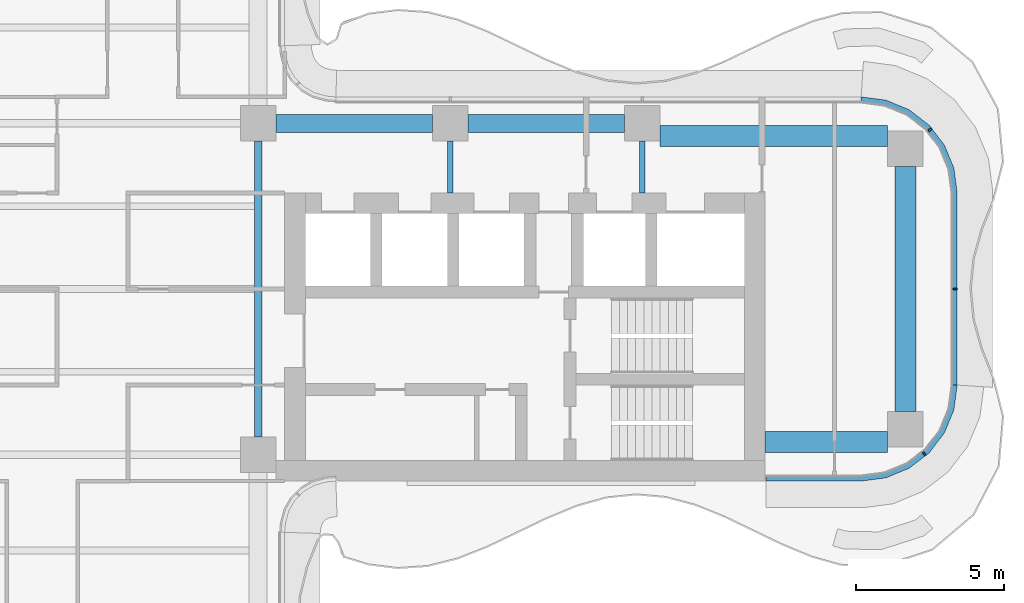
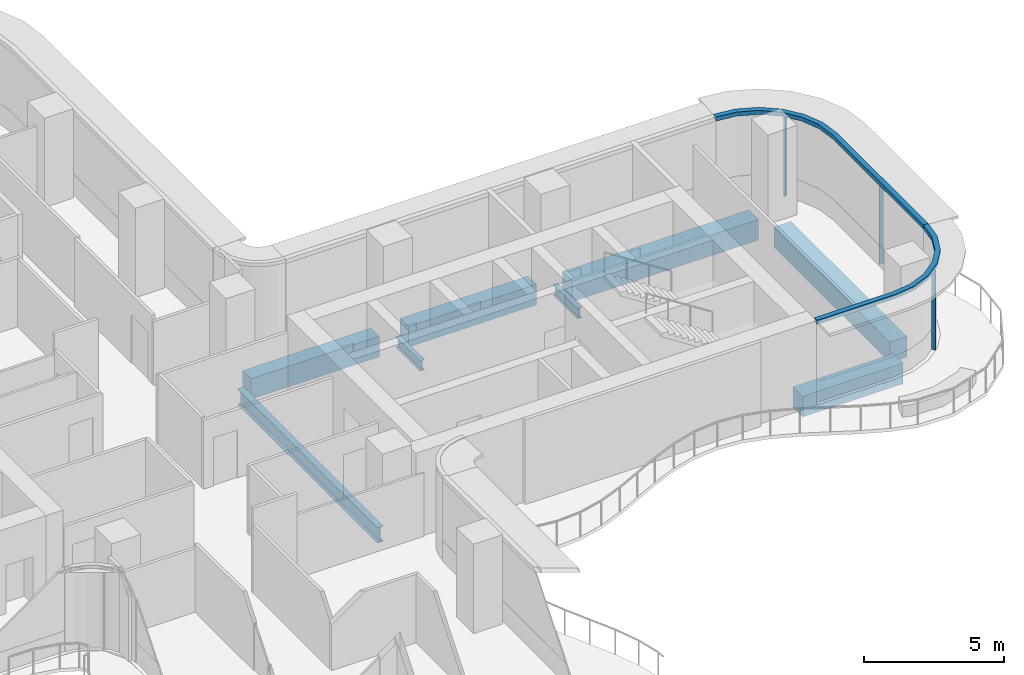
# One storey, part 6 of 18: 8 beams, 5 members, 2 elements without a shape of their own.
"""IFC4 building model written with IfcOpenShell, lengths in metres."""

from ifc_helpers import new_model, si_unit, direction, frame, origin, origin_2d, place, context, subcontext, project, spatial, polyline, rectangle, i_section, outline, extrude, source, transform, mapped, material, layer, layer_set, material_profile, profile_set, type_object, element, aggregate, save


model = new_model("IFC4")

# Units and contexts
model_context = context("Model", 3, precision=1e-05, world=origin(), true_north=direction((0.0, 1.0)))
body_context = subcontext(model_context, "Body", "Model", "MODEL_VIEW")
ifc_project = project(units=[si_unit("LENGTHUNIT", "METRE"), si_unit("AREAUNIT", "SQUARE_METRE"), si_unit("VOLUMEUNIT", "CUBIC_METRE"), si_unit("PLANEANGLEUNIT", "RADIAN"), si_unit("MASSUNIT", "GRAM", prefix="KILO")], contexts=[model_context])

# Site, building, storey
site_placement = place(None, origin())
site = spatial("IfcSite", under=ifc_project, at=site_placement, CompositionType="ELEMENT")
building_placement = place(site_placement, origin())
building = spatial("IfcBuilding", under=site, at=building_placement, Name="Trellis Farm Tower", CompositionType="ELEMENT")
storey_placement = place(building_placement, frame((0.0, 0.0, 169.800048828125)))
storey = spatial("IfcBuildingStorey", under=building, at=storey_placement, Name="L36", CompositionType="ELEMENT", Elevation=169.800048828125)

# Beams
ifc_material_1 = material(Name="Concrete C60/75", Category="concrete")
ifc_material_profile_1 = material_profile(ifc_material_1, rectangle(XDim=0.60009765625, YDim=0.89990234375, at=origin_2d()), Name="RC spandrel beam 600x900 C60/75")
ifc_profile_set_1 = profile_set([ifc_material_profile_1], Name="Concrete C60/75")
beam_type_1 = type_object("IfcBeamType", Name="RC spandrel beam 600x900 C60/75", PredefinedType="SPANDREL", material=ifc_profile_set_1)
shared_shape_1 = source(origin(), body_context, "Body", "SweptSolid", [
    extrude(rectangle(XDim=0.60009765625, YDim=0.89990234375, at=origin_2d()), origin(), (0.0, 0.0, 1.0), 5.300048828125),
])
for number, where, z_axis, x_axis, name in (
    (1, (6.199951171875, 5.60009765625, -0.650146484375), (1.0, 0.0, 0.0), (0.0, 1.0, 0.0), "Girder"),
    (2, (12.699951171875, 5.60009765625, -0.650146484375), (1.0, 0.0, 0.0), (0.0, 1.0, 0.0), "Girder"),
):
    element("IfcBeam", number, at=place(storey_placement, frame(where, z_axis=z_axis, x_axis=x_axis)), inside=storey, type_object=beam_type_1, Name=name, PredefinedType="SPANDREL", context=body_context, shape_type="MappedRepresentation", body=[
        mapped(shared_shape_1, transform((0.0, 0.0, 0.0))),
    ])
ifc_material_2 = material(Name="Steel S355", Category="steel")
ifc_material_profile_2 = material_profile(ifc_material_2, i_section(OverallWidth=0.253662109375, OverallDepth=0.68359375, WebThickness=0.012451171875, FlangeThickness=0.021728515625, FilletRadius=0.01513671875, at=origin_2d()), Name="UB 686x254x140")
ifc_profile_set_2 = profile_set([ifc_material_profile_2], Name="Steel S355")
beam_type_2 = type_object("IfcBeamType", Name="UB 686x254x140", PredefinedType="BEAM", material=ifc_profile_set_2)
shared_shape_2 = source(origin(), body_context, "Body", "SweptSolid", [
    extrude(i_section(OverallWidth=0.253662109375, OverallDepth=0.68359375, WebThickness=0.012451171875, FlangeThickness=0.021728515625, FilletRadius=0.01513671875, at=origin_2d()), origin(), (0.0, 0.0, 1.0), 10.0),
])
beam_1_placement = place(storey_placement, frame((5.60009765625, -5.0, -0.541748046875), z_axis=(0.0, 1.0, 0.0), x_axis=(-1.0, 0.0, 0.0)))
element("IfcBeam", 3, at=beam_1_placement, inside=storey, type_object=beam_type_2, Name="Girder", PredefinedType="BEAM", context=body_context, shape_type="MappedRepresentation", body=[
    mapped(shared_shape_2, transform((0.0, 0.0, 0.0))),
])
ifc_material_profile_3 = material_profile(ifc_material_1, rectangle(XDim=0.699951171875, YDim=0.89990234375, at=origin_2d()), Name="RC spandrel beam 700x900 C60/75")
ifc_profile_set_3 = profile_set([ifc_material_profile_3], Name="Concrete C60/75")
beam_type_3 = type_object("IfcBeamType", Name="RC spandrel beam 700x900 C60/75", PredefinedType="SPANDREL", material=ifc_profile_set_3)
shared_shape_3 = source(origin(), body_context, "Body", "SweptSolid", [
    extrude(rectangle(XDim=0.699951171875, YDim=0.89990234375, at=origin_2d()), origin(), (0.0, 0.0, 1.0), 8.2998046875),
])
beam_2_placement = place(storey_placement, frame((27.5, -4.14990234375, -0.650146484375), z_axis=(0.0, 1.0, 0.0), x_axis=(-1.0, 0.0, 0.0)))
element("IfcBeam", 4, at=beam_2_placement, inside=storey, type_object=beam_type_3, Name="Girder", PredefinedType="SPANDREL", context=body_context, shape_type="MappedRepresentation", body=[
    mapped(shared_shape_3, transform((0.0, 0.0, 0.0))),
])
ifc_material_profile_4 = material_profile(ifc_material_2, i_section(OverallWidth=0.1904296875, OverallDepth=0.45703125, WebThickness=0.009033203125, FlangeThickness=0.014404296875, FilletRadius=0.01025390625, at=origin_2d()), Name="UB 457x191x74")
ifc_profile_set_4 = profile_set([ifc_material_profile_4], Name="Steel S355")
beam_type_4 = type_object("IfcBeamType", Name="UB 457x191x74", PredefinedType="BEAM", material=ifc_profile_set_4)
shared_shape_4 = source(origin(), body_context, "Body", "SweptSolid", [
    extrude(i_section(OverallWidth=0.1904296875, OverallDepth=0.45703125, WebThickness=0.009033203125, FlangeThickness=0.014404296875, FilletRadius=0.01025390625, at=origin_2d()), origin(), (0.0, 0.0, 1.0), 1.75),
])
for number, where, z_axis, x_axis, name in (
    (5, (12.10009765625, 3.25, -0.428466796875), (0.0, 1.0, 0.0), (-1.0, 0.0, 0.0), "Girder"),
    (6, (18.60009765625, 3.25, -0.428466796875), (0.0, 1.0, 0.0), (-1.0, 0.0, 0.0), "Girder"),
):
    element("IfcBeam", number, at=place(storey_placement, frame(where, z_axis=z_axis, x_axis=x_axis)), inside=storey, type_object=beam_type_4, Name=name, PredefinedType="BEAM", context=body_context, shape_type="MappedRepresentation", body=[
        mapped(shared_shape_4, transform((0.0, 0.0, 0.0))),
    ])
shared_shape_5 = source(origin(), body_context, "Body", "SweptSolid", [
    extrude(rectangle(XDim=0.699951171875, YDim=0.89990234375, at=origin_2d()), origin(), (0.0, 0.0, 1.0), 7.699951171875),
])
beam_3_placement = place(storey_placement, frame((19.199951171875, 5.175048828125, -0.650146484375), z_axis=(1.0, 0.0, 0.0), x_axis=(0.0, 1.0, 0.0)))
element("IfcBeam", 7, at=beam_3_placement, inside=storey, type_object=beam_type_3, Name="Girder", PredefinedType="SPANDREL", context=body_context, shape_type="MappedRepresentation", body=[
    mapped(shared_shape_5, transform((0.0, 0.0, 0.0))),
])
shared_shape_6 = source(origin(), body_context, "Body", "SweptSolid", [
    extrude(rectangle(XDim=0.699951171875, YDim=0.89990234375, at=origin_2d()), origin(), (0.0, 0.0, 1.0), 4.14990234375),
])
beam_4_placement = place(storey_placement, frame((22.75, -5.175048828125, -0.650146484375), z_axis=(1.0, 0.0, 0.0), x_axis=(0.0, 1.0, 0.0)))
element("IfcBeam", 8, at=beam_4_placement, inside=storey, type_object=beam_type_3, Name="Girder", PredefinedType="SPANDREL", context=body_context, shape_type="MappedRepresentation", body=[
    mapped(shared_shape_6, transform((0.0, 0.0, 0.0))),
])

# Curtain wall, member
ifc_material_3 = material(Name="Aluminium and glass curtain wall", Category="aluminium")
ifc_layer_1 = layer(ifc_material_3, 0.18994140625)
ifc_layer_set_1 = layer_set([ifc_layer_1], Name="RIBBON CURTAIN WALL CW1")
curtain_wall_type = type_object("IfcCurtainWallType", Name="RIBBON CURTAIN WALL CW1", PredefinedType="NOTDEFINED", material=ifc_layer_set_1)
placement_1 = place(storey_placement, origin())
curtain_wall_1 = element("IfcCurtainWall", 9, at=placement_1, inside=storey, type_object=curtain_wall_type, Name="CW1 006", PredefinedType="NOTDEFINED")
ifc_material_4 = material(Name="Aluminium extrusion 6063-T6", Category="aluminium")
ifc_layer_2 = layer(ifc_material_4, 0.199951171875)
ifc_layer_set_2 = layer_set([ifc_layer_2], Name="Aluminium extrusion 6063-T6")
member_type_1 = type_object("IfcMemberType", Name="CW1 TRANSOM 200x180", PredefinedType="USERDEFINED", material=ifc_layer_set_2)
shared_shape_7 = source(origin(), body_context, "Body", "SweptSolid", [
    extrude(outline(polyline([(22.780029296875, -6.5), (26.0, -6.5), (26.841064453125, -6.38916015625), (27.625, -6.064697265625), (28.298095703125, -5.548095703125), (28.814697265625, -4.875), (29.13916015625, -4.091064453125), (29.25, -3.25), (29.050048828125, -3.23681640625), (28.9443359375, -4.0390625), (28.639892578125, -4.774169921875), (28.155517578125, -5.405517578125), (27.524169921875, -5.889892578125), (26.7890625, -6.1943359375), (25.98681640625, -6.300048828125), (22.780029296875, -6.300048828125), (22.780029296875, -6.5)])), origin(), (0.0, 0.0, 1.0), 0.179931640625),
])
placement_2 = place(storey_placement, frame((0.0, 0.0, 3.52001953125)))
member_1 = element("IfcMember", 10, at=placement_2, type_object=member_type_1, Name="TR1 006", ObjectType="TRANSOM", PredefinedType="USERDEFINED", context=body_context, shape_type="MappedRepresentation", body=[
    mapped(shared_shape_7, transform((0.0, 0.0, 0.0))),
])

curtain_wall_2 = element("IfcCurtainWall", 11, at=placement_1, inside=storey, type_object=curtain_wall_type, Name="CW1 007", PredefinedType="NOTDEFINED")
shared_shape_8 = source(origin(), body_context, "Body", "SweptSolid", [
    extrude(outline(polyline([(29.25, -3.25), (29.25, 3.25), (29.13916015625, 4.091064453125), (28.814697265625, 4.875), (28.298095703125, 5.548095703125), (27.625, 6.064697265625), (26.841064453125, 6.38916015625), (26.0, 6.5), (25.98681640625, 6.300048828125), (26.7890625, 6.1943359375), (27.524169921875, 5.889892578125), (28.155517578125, 5.405517578125), (28.639892578125, 4.774169921875), (28.9443359375, 4.0390625), (29.050048828125, 3.23681640625), (29.050048828125, -3.23681640625), (29.25, -3.25)])), origin(), (0.0, 0.0, 1.0), 0.179931640625),
])
member_2 = element("IfcMember", 12, at=placement_2, type_object=member_type_1, Name="TR1 007", ObjectType="TRANSOM", PredefinedType="USERDEFINED", context=body_context, shape_type="MappedRepresentation", body=[
    mapped(shared_shape_8, transform((0.0, 0.0, 0.0))),
])

# Member
ifc_material_profile_5 = material_profile(ifc_material_4, rectangle(XDim=0.06005859375, YDim=0.14990234375, at=origin_2d()), Name="MULLION 60x150")
ifc_profile_set_5 = profile_set([ifc_material_profile_5], Name="Aluminium extrusion 6063-T6")
member_type_2 = type_object("IfcMemberType", Name="CW1 MULLION 60x150", PredefinedType="MULLION", material=ifc_profile_set_5)
shared_shape_9 = source(origin(), body_context, "Body", "SweptSolid", [
    extrude(rectangle(XDim=0.06005859375, YDim=0.14990234375, at=origin_2d()), origin(), (0.0, 0.0, 1.0), 3.52001953125),
])
member_3_placement = place(storey_placement, frame((28.135498046875, -5.578369140625, 0.0), z_axis=(0.0, 0.0, 1.0), x_axis=(0.793353340291, 0.608761429009, 0.0)))
member_3 = element("IfcMember", 13, at=member_3_placement, type_object=member_type_2, Name="MU1 006-01", PredefinedType="MULLION", context=body_context, shape_type="MappedRepresentation", body=[
    mapped(shared_shape_9, transform((0.0, 0.0, 0.0))),
])

aggregate(curtain_wall_1, [member_3, member_1])

member_4_placement = place(storey_placement, frame((29.175048828125, 0.0, 0.0), z_axis=(0.0, 0.0, 1.0), x_axis=(0.0, 1.0, 0.0)))
member_4 = element("IfcMember", 14, at=member_4_placement, type_object=member_type_2, Name="MU1 007-01", PredefinedType="MULLION", context=body_context, shape_type="MappedRepresentation", body=[
    mapped(shared_shape_9, transform((0.0, 0.0, 0.0))),
])

member_5_placement = place(storey_placement, frame((28.328369140625, 5.385498046875, 0.0), z_axis=(0.0, 0.0, 1.0), x_axis=(-0.608761429009, 0.793353340291, 0.0)))
member_5 = element("IfcMember", 15, at=member_5_placement, type_object=member_type_2, Name="MU1 007-02", PredefinedType="MULLION", context=body_context, shape_type="MappedRepresentation", body=[
    mapped(shared_shape_9, transform((0.0, 0.0, 0.0))),
])

aggregate(curtain_wall_2, [member_4, member_5, member_2])

save(model, "model.ifc")
